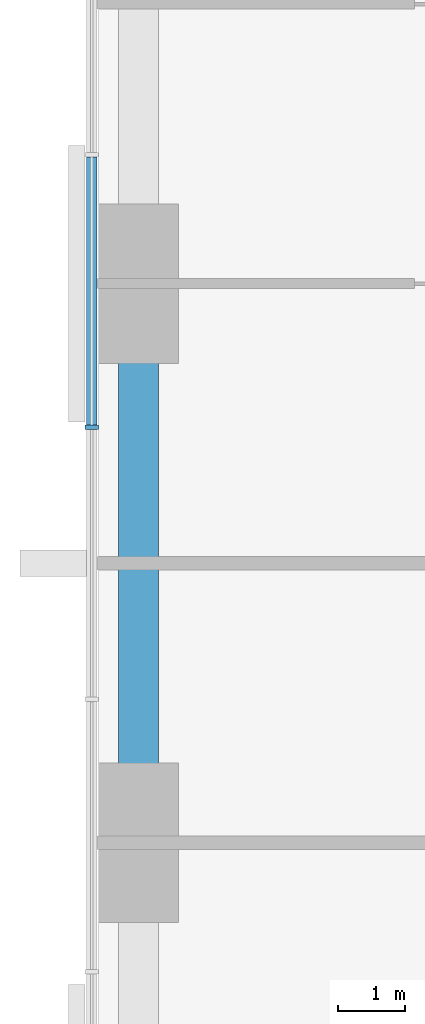
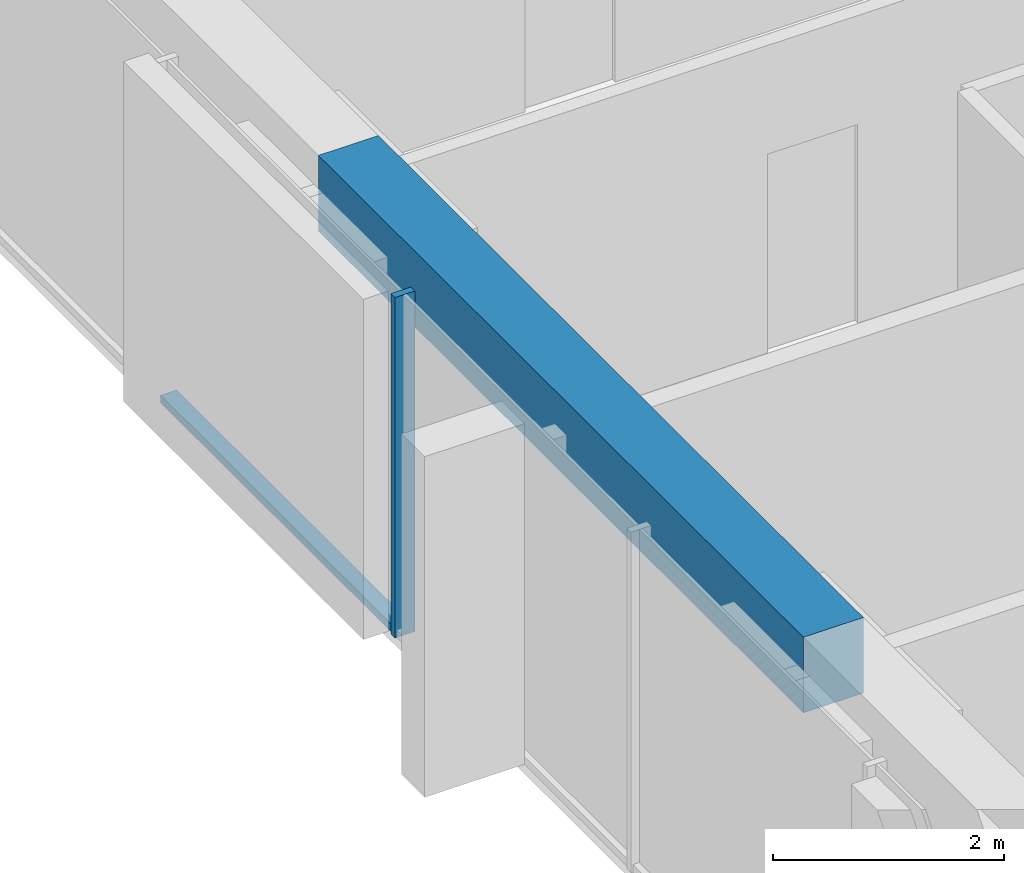
# One storey, part 3 of 13: 2 members, 1 beam, 1 element without a shape of its own.
"""IFC4 building model written with IfcOpenShell, lengths in metres."""

from ifc_helpers import new_model, si_unit, direction, frame, origin, origin_2d, place, context, subcontext, project, spatial, rectangle, extrude, material, material_profile, profile_set, type_object, element, aggregate, save


model = new_model("IFC4")

# Units and contexts
model_context = context("Model", 3, precision=1e-05, world=origin(), true_north=direction((0.0, 1.0)))
body_context = subcontext(model_context, "Body", "Model", "MODEL_VIEW")
ifc_project = project(units=[si_unit("LENGTHUNIT", "METRE"), si_unit("AREAUNIT", "SQUARE_METRE"), si_unit("VOLUMEUNIT", "CUBIC_METRE"), si_unit("PLANEANGLEUNIT", "RADIAN"), si_unit("MASSUNIT", "GRAM", prefix="KILO")], contexts=[model_context])

# Site, building, storey
site_placement = place(None, origin())
site = spatial("IfcSite", under=ifc_project, at=site_placement, CompositionType="ELEMENT")
building_placement = place(site_placement, origin())
building = spatial("IfcBuilding", under=site, at=building_placement, Name="Dunama Terrace Hotel", CompositionType="ELEMENT")
storey_placement = place(building_placement, frame((0.0, 0.0, 209.39990234375)))
storey = spatial("IfcBuildingStorey", under=building, at=storey_placement, Name="L54", CompositionType="ELEMENT", Elevation=209.39990234375)

# Curtain wall, members
ifc_material_1 = material(Name="Aluminium curtain wall system", Category="aluminium")
curtain_wall_type = type_object("IfcCurtainWallType", Name="Unitised fritted glass wall CW-C", PredefinedType="NOTDEFINED", material=ifc_material_1)
curtain_wall_placement = place(storey_placement, origin())
curtain_wall = element("IfcCurtainWall", 1, at=curtain_wall_placement, inside=storey, type_object=curtain_wall_type, Name="Unitised fritted glass wall CW-C L54", PredefinedType="NOTDEFINED")
ifc_material_2 = material(Name="Aluminium mullion", Category="aluminium")
ifc_material_profile_1 = material_profile(ifc_material_2, rectangle(XDim=0.070068359375, YDim=0.199951171875, at=origin_2d()), Name="CWC MULLION 70X200")
ifc_profile_set_1 = profile_set([ifc_material_profile_1], Name="Aluminium mullion")
member_type_1 = type_object("IfcMemberType", Name="CWC mullion 70x200", PredefinedType="MULLION", material=ifc_profile_set_1)
member_1_placement = place(storey_placement, frame((4.10009765625, 31.445068359375, 0.0), z_axis=(0.0, 0.0, 1.0), x_axis=(0.0, -1.0, 0.0)))
member_1 = element("IfcMember", 2, at=member_1_placement, type_object=member_type_1, Name="CWC mullion", PredefinedType="MULLION", context=body_context, shape_type="SweptSolid", body=[
    extrude(rectangle(XDim=0.070068359375, YDim=0.199951171875, at=origin_2d()), origin(), (0.0, 0.0, 1.0), 3.60009765625),
])
ifc_material_3 = material(Name="Aluminium transom", Category="aluminium")
ifc_material_profile_2 = material_profile(ifc_material_3, rectangle(XDim=0.159912109375, YDim=0.080078125, at=origin_2d()), Name="CWC TRANSOM 160X80")
ifc_profile_set_2 = profile_set([ifc_material_profile_2], Name="Aluminium transom")
member_type_2 = type_object("IfcMemberType", Name="CWC transom 160x80", PredefinedType="USERDEFINED", material=ifc_profile_set_2)
member_2_placement = place(storey_placement, frame((4.10009765625, 35.5009765625, 0.0400390625), z_axis=(0.0, -1.0, 0.0), x_axis=(1.0, 0.0, 0.0)))
member_2 = element("IfcMember", 3, at=member_2_placement, type_object=member_type_2, Name="CWC transom", ObjectType="TRANSOM", PredefinedType="USERDEFINED", context=body_context, shape_type="SweptSolid", body=[
    extrude(rectangle(XDim=0.159912109375, YDim=0.080078125, at=origin_2d()), origin(), (0.0, 0.0, 1.0), 4.02099609375),
])
aggregate(curtain_wall, [member_1, member_2])

# Beam
ifc_material_4 = material(Name="Concrete C40/50", Category="concrete")
ifc_material_profile_3 = material_profile(ifc_material_4, rectangle(XDim=0.60009765625, YDim=0.800048828125, at=origin_2d()), Name="RC 600x800")
ifc_profile_set_3 = profile_set([ifc_material_profile_3], Name="Concrete C40/50")
beam_type = type_object("IfcBeamType", Name="Edge beam RC 600x800", PredefinedType="SPANDREL", material=ifc_profile_set_3)
beam_placement = place(storey_placement, frame((4.800048828125, 25.199951171875, 3.2001953125), z_axis=(0.0, 1.0, 0.0), x_axis=(-1.0, 0.0, 0.0)))
element("IfcBeam", 4, at=beam_placement, inside=storey, type_object=beam_type, Name="Edge beam under L55", PredefinedType="SPANDREL", context=body_context, shape_type="SweptSolid", body=[
    extrude(rectangle(XDim=0.60009765625, YDim=0.800048828125, at=origin_2d()), origin(), (0.0, 0.0, 1.0), 8.400146484375),
])

save(model, "model.ifc")
